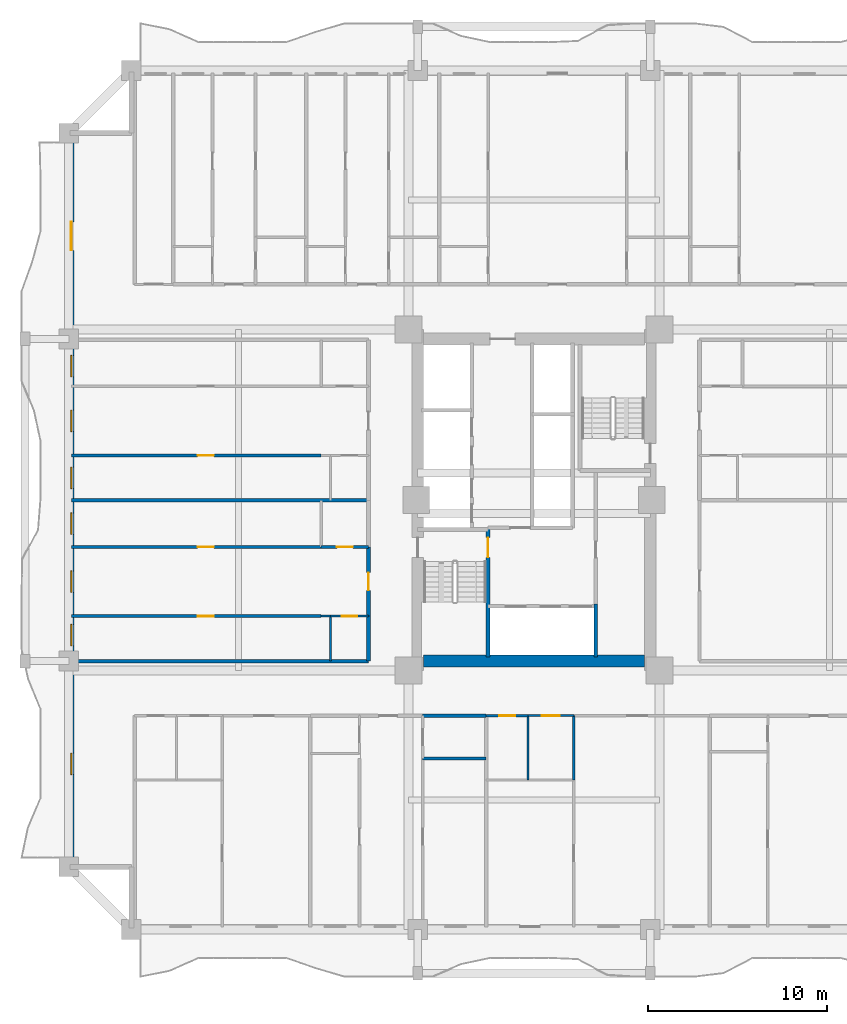
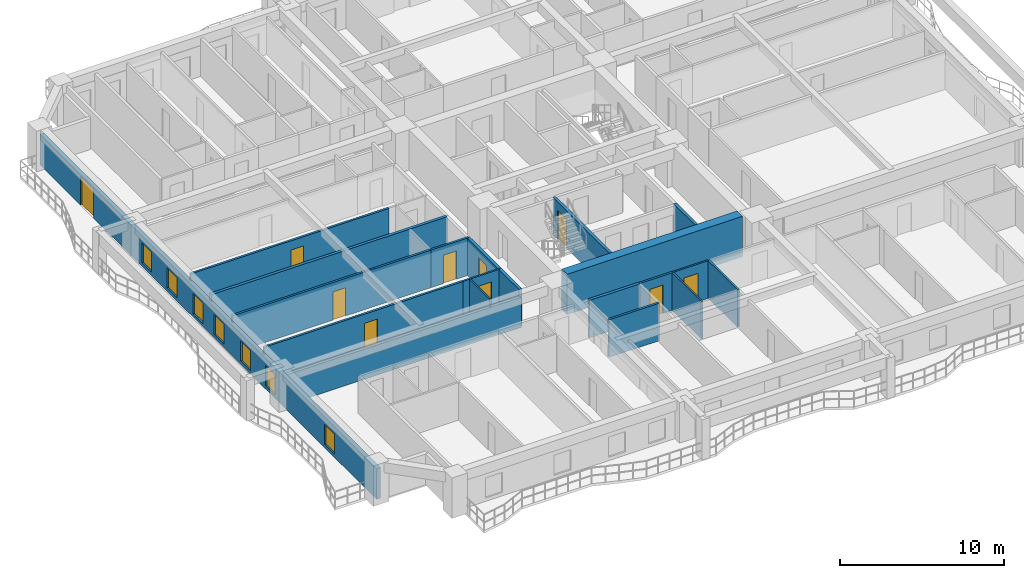
# One storey, part 3 of 15: 21 walls, 10 doors, 7 windows, 17 openings.
"""IFC4 building model written with IfcOpenShell, lengths in metres."""

from ifc_helpers import new_model, si_unit, direction, frame, frame_2d, origin, place, context, subcontext, project, spatial, rectangle, extrude, source, transform, mapped, material, layer, layer_set, type_object, element, fill, save


model = new_model("IFC4")

# Units and contexts
model_context = context("Model", 3, precision=1e-05, world=origin(), true_north=direction((0.0, 1.0)))
body_context = subcontext(model_context, "Body", "Model", "MODEL_VIEW")
ifc_project = project(units=[si_unit("LENGTHUNIT", "METRE"), si_unit("AREAUNIT", "SQUARE_METRE"), si_unit("VOLUMEUNIT", "CUBIC_METRE"), si_unit("PLANEANGLEUNIT", "RADIAN"), si_unit("MASSUNIT", "GRAM", prefix="KILO")], contexts=[model_context])

# Site, building, storey
site_placement = place(None, origin())
site = spatial("IfcSite", under=ifc_project, at=site_placement, CompositionType="ELEMENT")
building_placement = place(site_placement, origin())
building = spatial("IfcBuilding", under=site, at=building_placement, Name="Saelheon Loggia Tower", CompositionType="ELEMENT")
storey_placement = place(building_placement, frame((0.0, 0.0, 49.39990234375)))
storey = spatial("IfcBuildingStorey", under=building, at=storey_placement, Name="L15", CompositionType="ELEMENT", Elevation=49.39990234375)

# Wall
ifc_material_1 = material(Name="Concrete C60/75", Category="concrete")
ifc_layer_1 = layer(ifc_material_1, 0.64990234375)
ifc_layer_set_1 = layer_set([ifc_layer_1], Name="Concrete C60/75")
wall_type_1 = type_object("IfcWallType", Name="Wall_CoreShear_650", PredefinedType="SHEAR", material=ifc_layer_set_1)
wall_1_placement = place(storey_placement, frame((31.824951171875, 18.0, 0.0), z_axis=(0.0, 0.0, 1.0), x_axis=(1.0, 0.0, 0.0)))
element("IfcWall", 1, at=wall_1_placement, inside=storey, type_object=wall_type_1, Name="L15 Core Shear Wall South", PredefinedType="SHEAR", context=body_context, shape_type="SweptSolid", body=[
    extrude(rectangle(XDim=12.35009765625, YDim=0.64990234375, at=frame_2d((6.175048828125, 0.0))), origin(), (0.0, 0.0, 1.0), 3.0),
])

# Wall, openings, windows, door
ifc_material_2 = material(Name="Architectural Precast Concrete C40/50", Category="concrete")
ifc_layer_2 = layer(ifc_material_2, 0.280029296875)
ifc_layer_set_2 = layer_set([ifc_layer_2], Name="Architectural Precast Concrete C40/50")
wall_type_2 = type_object("IfcWallType", Name="Wall_Ext_Loggia_280", PredefinedType="SOLIDWALL", material=ifc_layer_set_2)
wall_2_placement = place(storey_placement, frame((12.139892578125, 6.5, 0.0), z_axis=(0.0, 0.0, 1.0), x_axis=(0.0, 1.0, 0.0)))
wall_2 = element("IfcWall", 2, at=wall_2_placement, inside=storey, type_object=wall_type_2, Name="L15 West Loggia Inner Wall", PredefinedType="SOLIDWALL", context=body_context, shape_type="SweptSolid", body=[
    extrude(rectangle(XDim=41.0, YDim=0.280029296875, at=frame_2d((20.5, 0.0))), origin(), (0.0, 0.0, 1.0), 2.280029296875),
])
opening_1_placement = place(wall_2_placement, frame((5.14990234375, 0.0, 0.25)))
opening_1 = element("IfcOpeningElement", 3, at=opening_1_placement, cuts=wall_2, Name="Opening WN-03", PredefinedType="OPENING", context=body_context, shape_type="SweptSolid", body=[
    extrude(rectangle(XDim=1.199951171875, YDim=1.5, at=frame_2d((0.60009765625, 0.75))), frame((0.0, 0.152099609375, 0.0), z_axis=(0.0, -1.0, 0.0), x_axis=(1.0, 0.0, 0.0)), (0.0, 0.0, 1.0), 0.303955078125),
])
opening_2_placement = place(wall_2_placement, frame((12.3515625, 0.0, 0.25)))
opening_2 = element("IfcOpeningElement", 4, at=opening_2_placement, cuts=wall_2, Name="Opening WN-03", PredefinedType="OPENING", context=body_context, shape_type="SweptSolid", body=[
    extrude(rectangle(XDim=1.199951171875, YDim=1.5, at=frame_2d((0.60009765625, 0.75))), frame((0.0, 0.152099609375, 0.0), z_axis=(0.0, -1.0, 0.0), x_axis=(1.0, 0.0, 0.0)), (0.0, 0.0, 1.0), 0.303955078125),
])
opening_3_placement = place(wall_2_placement, frame((15.343994140625, 0.0, 0.25)))
opening_3 = element("IfcOpeningElement", 5, at=opening_3_placement, cuts=wall_2, Name="Opening WN-03", PredefinedType="OPENING", context=body_context, shape_type="SweptSolid", body=[
    extrude(rectangle(XDim=1.199951171875, YDim=1.5, at=frame_2d((0.60009765625, 0.75))), frame((0.0, 0.152099609375, 0.0), z_axis=(0.0, -1.0, 0.0), x_axis=(1.0, 0.0, 0.0)), (0.0, 0.0, 1.0), 0.303955078125),
])
opening_4_placement = place(wall_2_placement, frame((18.574951171875, 0.0, 0.25)))
opening_4 = element("IfcOpeningElement", 6, at=opening_4_placement, cuts=wall_2, Name="Opening WN-03", PredefinedType="OPENING", context=body_context, shape_type="SweptSolid", body=[
    extrude(rectangle(XDim=1.199951171875, YDim=1.5, at=frame_2d((0.60009765625, 0.75))), frame((0.0, 0.152099609375, 0.0), z_axis=(0.0, -1.0, 0.0), x_axis=(1.0, 0.0, 0.0)), (0.0, 0.0, 1.0), 0.303955078125),
])
opening_5_placement = place(wall_2_placement, frame((21.131591796875, 0.0, 0.25)))
opening_5 = element("IfcOpeningElement", 7, at=opening_5_placement, cuts=wall_2, Name="Opening WN-03", PredefinedType="OPENING", context=body_context, shape_type="SweptSolid", body=[
    extrude(rectangle(XDim=1.199951171875, YDim=1.5, at=frame_2d((0.60009765625, 0.75))), frame((0.0, 0.152099609375, 0.0), z_axis=(0.0, -1.0, 0.0), x_axis=(1.0, 0.0, 0.0)), (0.0, 0.0, 1.0), 0.303955078125),
])
opening_6_placement = place(wall_2_placement, frame((24.319091796875, 0.0, 0.25)))
opening_6 = element("IfcOpeningElement", 8, at=opening_6_placement, cuts=wall_2, Name="Opening WN-03", PredefinedType="OPENING", context=body_context, shape_type="SweptSolid", body=[
    extrude(rectangle(XDim=1.199951171875, YDim=1.5, at=frame_2d((0.60009765625, 0.75))), frame((0.0, 0.152099609375, 0.0), z_axis=(0.0, -1.0, 0.0), x_axis=(1.0, 0.0, 0.0)), (0.0, 0.0, 1.0), 0.303955078125),
])
opening_7_placement = place(wall_2_placement, frame((27.3798828125, 0.0, 0.25)))
opening_7 = element("IfcOpeningElement", 9, at=opening_7_placement, cuts=wall_2, Name="Opening WN-03", PredefinedType="OPENING", context=body_context, shape_type="SweptSolid", body=[
    extrude(rectangle(XDim=1.199951171875, YDim=1.5, at=frame_2d((0.60009765625, 0.75))), frame((0.0, 0.152099609375, 0.0), z_axis=(0.0, -1.0, 0.0), x_axis=(1.0, 0.0, 0.0)), (0.0, 0.0, 1.0), 0.303955078125),
])
opening_8_placement = place(wall_2_placement, frame((34.449951171875, 0.0, 0.0)))
opening_8 = element("IfcOpeningElement", 10, at=opening_8_placement, cuts=wall_2, Name="Opening DLG-1", PredefinedType="OPENING", context=body_context, shape_type="SweptSolid", body=[
    extrude(rectangle(XDim=1.60009765625, YDim=2.14990234375, at=frame_2d((0.800048828125, 1.074951171875))), frame((0.0, 0.152099609375, 0.0), z_axis=(0.0, -1.0, 0.0), x_axis=(1.0, 0.0, 0.0)), (0.0, 0.0, 1.0), 0.303955078125),
])
ifc_material_3 = material(Name="Thermal-Break Aluminium and Triple Low-E Glass", Category="aluminium")
window_type = type_object("IfcWindowType", Name="Win_Bedroom_1200x1500", PartitioningType="SINGLE_PANEL", PredefinedType="WINDOW", material=ifc_material_3)
shared_shape_1 = source(origin(), body_context, "Body", "SweptSolid", [
    extrude(rectangle(XDim=1.199951171875, YDim=1.5, at=frame_2d((0.60009765625, 0.75))), frame((0.0, 0.030029296875, 0.0), z_axis=(0.0, -1.0, 0.0), x_axis=(1.0, 0.0, 0.0)), (0.0, 0.0, 1.0), 0.06005859375),
])
window_1_placement = place(opening_1_placement, origin())
window_1 = element("IfcWindow", 11, at=window_1_placement, inside=storey, type_object=window_type, Name="L15 W Dwelling Window 1", OverallHeight=1.5, OverallWidth=1.199951171875, PartitioningType="SINGLE_PANEL", PredefinedType="WINDOW", context=body_context, shape_type="MappedRepresentation", body=[
    mapped(shared_shape_1, transform((0.0, 0.0, 0.0), scale=1.0)),
])
fill(opening_1, window_1)
window_2_placement = place(opening_2_placement, origin())
window_2 = element("IfcWindow", 12, at=window_2_placement, inside=storey, type_object=window_type, Name="L15 W Dwelling Window 2", OverallHeight=1.5, OverallWidth=1.199951171875, PartitioningType="SINGLE_PANEL", PredefinedType="WINDOW", context=body_context, shape_type="MappedRepresentation", body=[
    mapped(shared_shape_1, transform((0.0, 0.0, 0.0), scale=1.0)),
])
fill(opening_2, window_2)
window_3_placement = place(opening_3_placement, origin())
window_3 = element("IfcWindow", 13, at=window_3_placement, inside=storey, type_object=window_type, Name="L15 W Dwelling Window 3", OverallHeight=1.5, OverallWidth=1.199951171875, PartitioningType="SINGLE_PANEL", PredefinedType="WINDOW", context=body_context, shape_type="MappedRepresentation", body=[
    mapped(shared_shape_1, transform((0.0, 0.0, 0.0), scale=1.0)),
])
fill(opening_3, window_3)
window_4_placement = place(opening_4_placement, origin())
window_4 = element("IfcWindow", 14, at=window_4_placement, inside=storey, type_object=window_type, Name="L15 W Dwelling Window 4", OverallHeight=1.5, OverallWidth=1.199951171875, PartitioningType="SINGLE_PANEL", PredefinedType="WINDOW", context=body_context, shape_type="MappedRepresentation", body=[
    mapped(shared_shape_1, transform((0.0, 0.0, 0.0), scale=1.0)),
])
fill(opening_4, window_4)
window_5_placement = place(opening_5_placement, origin())
window_5 = element("IfcWindow", 15, at=window_5_placement, inside=storey, type_object=window_type, Name="L15 W Dwelling Window 5", OverallHeight=1.5, OverallWidth=1.199951171875, PartitioningType="SINGLE_PANEL", PredefinedType="WINDOW", context=body_context, shape_type="MappedRepresentation", body=[
    mapped(shared_shape_1, transform((0.0, 0.0, 0.0), scale=1.0)),
])
fill(opening_5, window_5)
window_6_placement = place(opening_6_placement, origin())
window_6 = element("IfcWindow", 16, at=window_6_placement, inside=storey, type_object=window_type, Name="L15 W Dwelling Window 6", OverallHeight=1.5, OverallWidth=1.199951171875, PartitioningType="SINGLE_PANEL", PredefinedType="WINDOW", context=body_context, shape_type="MappedRepresentation", body=[
    mapped(shared_shape_1, transform((0.0, 0.0, 0.0), scale=1.0)),
])
fill(opening_6, window_6)
window_7_placement = place(opening_7_placement, origin())
window_7 = element("IfcWindow", 17, at=window_7_placement, inside=storey, type_object=window_type, Name="L15 W Dwelling Window 7", OverallHeight=1.5, OverallWidth=1.199951171875, PartitioningType="SINGLE_PANEL", PredefinedType="WINDOW", context=body_context, shape_type="MappedRepresentation", body=[
    mapped(shared_shape_1, transform((0.0, 0.0, 0.0), scale=1.0)),
])
fill(opening_7, window_7)
ifc_material_4 = material(Name="Thermal-Break Aluminium Sliding Glazed Door", Category="aluminium")
door_type_1 = type_object("IfcDoorType", Name="Door_LoggiaSlide_1600", OperationType="SLIDING_TO_LEFT", PredefinedType="DOOR", material=ifc_material_4)
shared_shape_2 = source(origin(), body_context, "Body", "SweptSolid", [
    extrude(rectangle(XDim=1.60009765625, YDim=2.14990234375, at=frame_2d((0.800048828125, 1.074951171875))), frame((0.0, 0.02490234375, 0.0), z_axis=(0.0, -1.0, 0.0), x_axis=(1.0, 0.0, 0.0)), (0.0, 0.0, 1.0), 0.050048828125),
])
door_1_placement = place(opening_8_placement, origin())
door_1 = element("IfcDoor", 18, at=door_1_placement, inside=storey, type_object=door_type_1, Name="L15 W Loggia Access Door", OperationType="SLIDING_TO_LEFT", OverallHeight=2.14990234375, OverallWidth=1.60009765625, PredefinedType="DOOR", context=body_context, shape_type="MappedRepresentation", body=[
    mapped(shared_shape_2, transform((0.0, 0.0, 0.0), scale=1.0)),
])
fill(opening_8, door_1)

# Walls
ifc_material_5 = material(Name="Lightweight Autoclaved Aerated Concrete Block and Acoustic Gypsum", Category="concrete")
ifc_layer_3 = layer(ifc_material_5, 0.14990234375)
ifc_layer_set_3 = layer_set([ifc_layer_3], Name="Lightweight Autoclaved Aerated Concrete Block and Acoustic Gypsum")
wall_type_3 = type_object("IfcWallType", Name="Wall_Part_150", PredefinedType="PARTITIONING", material=ifc_layer_set_3)
wall_3_placement = place(storey_placement, frame((31.780029296875, 12.550048828125, 0.0), z_axis=(0.0, 0.0, 1.0), x_axis=(1.0, 0.0, 0.0)))
element("IfcWall", 19, at=wall_3_placement, inside=storey, type_object=wall_type_3, Name="L15 S Partition V15", PredefinedType="PARTITIONING", context=body_context, shape_type="SweptSolid", body=[
    extrude(rectangle(XDim=3.54150390625, YDim=0.14990234375, at=frame_2d((1.770751953125, 0.0))), origin(), (0.0, 0.0, 1.0), 2.7900390625),
])
wall_4_placement = place(storey_placement, frame((40.2216796875, 14.949951171875, 0.0), z_axis=(0.0, 0.0, 1.0), x_axis=(0.0, -1.0, 0.0)))
element("IfcWall", 20, at=wall_4_placement, inside=storey, type_object=wall_type_3, Name="L15 S Partition U22", PredefinedType="PARTITIONING", context=body_context, shape_type="SweptSolid", body=[
    extrude(rectangle(XDim=3.599853515625, YDim=0.14990234375, at=frame_2d((1.7998046875, 0.0))), origin(), (0.0, 0.0, 1.0), 2.7900390625),
])

# Wall, opening, door
wall_5_placement = place(storey_placement, frame((35.321533203125, 14.949951171875, 0.0), z_axis=(0.0, 0.0, 1.0), x_axis=(1.0, 0.0, 0.0)))
wall_5 = element("IfcWall", 21, at=wall_5_placement, inside=storey, type_object=wall_type_3, Name="L15 S Partition V25", PredefinedType="PARTITIONING", context=body_context, shape_type="SweptSolid", body=[
    extrude(rectangle(XDim=2.35009765625, YDim=0.14990234375, at=frame_2d((1.175048828125, 0.0))), origin(), (0.0, 0.0, 1.0), 2.7900390625),
])
opening_9_placement = place(wall_5_placement, frame((0.72509765625, 0.0, 0.0)))
opening_9 = element("IfcOpeningElement", 22, at=opening_9_placement, cuts=wall_5, Name="Opening D-IN2", PredefinedType="OPENING", context=body_context, shape_type="SweptSolid", body=[
    extrude(rectangle(XDim=0.89990234375, YDim=2.10009765625, at=frame_2d((0.449951171875, 1.050048828125))), frame((0.0, 0.0869140625, 0.0), z_axis=(0.0, -1.0, 0.0), x_axis=(1.0, 0.0, 0.0)), (0.0, 0.0, 1.0), 0.173828125),
])
ifc_material_6 = material(Name="Engineered Oak Flush Door", Category="timber")
door_type_2 = type_object("IfcDoorType", Name="Door_Int_900", OperationType="NOTDEFINED", PredefinedType="DOOR", material=ifc_material_6)
shared_shape_3 = source(origin(), body_context, "Body", "SweptSolid", [
    extrude(rectangle(XDim=0.89990234375, YDim=2.10009765625, at=frame_2d((0.449951171875, 1.050048828125))), frame((0.0, 0.02490234375, 0.0), z_axis=(0.0, -1.0, 0.0), x_axis=(1.0, 0.0, 0.0)), (0.0, 0.0, 1.0), 0.050048828125),
])
door_2_placement = place(opening_9_placement, origin())
door_2 = element("IfcDoor", 23, at=door_2_placement, inside=storey, type_object=door_type_2, Name="L15 Community Pantry Door", OperationType="SINGLE_SWING_LEFT", OverallHeight=2.10009765625, OverallWidth=0.89990234375, PredefinedType="DOOR", context=body_context, shape_type="MappedRepresentation", body=[
    mapped(shared_shape_3, transform((0.0, 0.0, 0.0), scale=1.0)),
])
fill(opening_9, door_2)

wall_6_placement = place(storey_placement, frame((26.110107421875, 20.512939453125, 0.0), z_axis=(0.0, 0.0, 1.0), x_axis=(-1.0, 0.0, 0.0)))
wall_6 = element("IfcWall", 24, at=wall_6_placement, inside=storey, type_object=wall_type_3, Name="L15 W Partition U10", PredefinedType="PARTITIONING", context=body_context, shape_type="SweptSolid", body=[
    extrude(rectangle(XDim=13.960205078125, YDim=0.14990234375, at=frame_2d((6.97998046875, 0.0))), origin(), (0.0, 0.0, 1.0), 2.7900390625),
])
opening_10_placement = place(wall_6_placement, frame((6.005859375, 0.0, 0.0)))
opening_10 = element("IfcOpeningElement", 25, at=opening_10_placement, cuts=wall_6, Name="Opening D-IN2", PredefinedType="OPENING", context=body_context, shape_type="SweptSolid", body=[
    extrude(rectangle(XDim=0.89990234375, YDim=2.10009765625, at=frame_2d((0.449951171875, 1.050048828125))), frame((0.0, 0.0869140625, 0.0), z_axis=(0.0, -1.0, 0.0), x_axis=(1.0, 0.0, 0.0)), (0.0, 0.0, 1.0), 0.173828125),
])
door_3_placement = place(opening_10_placement, origin())
door_3 = element("IfcDoor", 26, at=door_3_placement, inside=storey, type_object=door_type_2, Name="Unit U07 Kitchen Door", OperationType="SINGLE_SWING_RIGHT", OverallHeight=2.10009765625, OverallWidth=0.89990234375, PredefinedType="DOOR", context=body_context, shape_type="MappedRepresentation", body=[
    mapped(shared_shape_3, transform((0.0, 0.0, 0.0), scale=1.0)),
])
fill(opening_10, door_3)

wall_7_placement = place(storey_placement, frame((28.75, 24.375, 0.0), z_axis=(0.0, 0.0, 1.0), x_axis=(-1.0, 0.0, 0.0)))
wall_7 = element("IfcWall", 27, at=wall_7_placement, inside=storey, type_object=wall_type_3, Name="L15 W Partition U11", PredefinedType="PARTITIONING", context=body_context, shape_type="SweptSolid", body=[
    extrude(rectangle(XDim=2.639892578125, YDim=0.14990234375, at=frame_2d((1.31982421875, 0.0))), origin(), (0.0, 0.0, 1.0), 2.7900390625),
])
opening_11_placement = place(wall_7_placement, frame((0.8701171875, 0.0, 0.0)))
opening_11 = element("IfcOpeningElement", 28, at=opening_11_placement, cuts=wall_7, Name="Opening D-IN2", PredefinedType="OPENING", context=body_context, shape_type="SweptSolid", body=[
    extrude(rectangle(XDim=0.89990234375, YDim=2.10009765625, at=frame_2d((0.449951171875, 1.050048828125))), frame((0.0, 0.0869140625, 0.0), z_axis=(0.0, -1.0, 0.0), x_axis=(1.0, 0.0, 0.0)), (0.0, 0.0, 1.0), 0.173828125),
])
door_4_placement = place(opening_11_placement, origin())
door_4 = element("IfcDoor", 29, at=door_4_placement, inside=storey, type_object=door_type_2, Name="Unit U07 Dressing Closet Door", OperationType="SINGLE_SWING_LEFT", OverallHeight=2.10009765625, OverallWidth=0.89990234375, PredefinedType="DOOR", context=body_context, shape_type="MappedRepresentation", body=[
    mapped(shared_shape_3, transform((0.0, 0.0, 0.0), scale=1.0)),
])
fill(opening_11, door_4)

wall_8_placement = place(storey_placement, frame((26.110107421875, 24.375, 0.0), z_axis=(0.0, 0.0, 1.0), x_axis=(-1.0, 0.0, 0.0)))
wall_8 = element("IfcWall", 30, at=wall_8_placement, inside=storey, type_object=wall_type_3, Name="L15 W Partition U12", PredefinedType="PARTITIONING", context=body_context, shape_type="SweptSolid", body=[
    extrude(rectangle(XDim=13.960205078125, YDim=0.14990234375, at=frame_2d((6.97998046875, 0.0))), origin(), (0.0, 0.0, 1.0), 2.7900390625),
])
opening_12_placement = place(wall_8_placement, frame((6.005859375, 0.0, 0.0)))
opening_12 = element("IfcOpeningElement", 31, at=opening_12_placement, cuts=wall_8, Name="Opening D-IN2", PredefinedType="OPENING", context=body_context, shape_type="SweptSolid", body=[
    extrude(rectangle(XDim=0.89990234375, YDim=2.10009765625, at=frame_2d((0.449951171875, 1.050048828125))), frame((0.0, 0.0869140625, 0.0), z_axis=(0.0, -1.0, 0.0), x_axis=(1.0, 0.0, 0.0)), (0.0, 0.0, 1.0), 0.173828125),
])
door_5_placement = place(opening_12_placement, origin())
door_5 = element("IfcDoor", 32, at=door_5_placement, inside=storey, type_object=door_type_2, Name="Unit U07 Bedroom 1 Door", OperationType="SINGLE_SWING_RIGHT", OverallHeight=2.10009765625, OverallWidth=0.89990234375, PredefinedType="DOOR", context=body_context, shape_type="MappedRepresentation", body=[
    mapped(shared_shape_3, transform((0.0, 0.0, 0.0), scale=1.0)),
])
fill(opening_12, door_5)

wall_9_placement = place(storey_placement, frame((26.110107421875, 29.488037109375, 0.0), z_axis=(0.0, 0.0, 1.0), x_axis=(-1.0, 0.0, 0.0)))
wall_9 = element("IfcWall", 33, at=wall_9_placement, inside=storey, type_object=wall_type_3, Name="L15 W Partition U21", PredefinedType="PARTITIONING", context=body_context, shape_type="SweptSolid", body=[
    extrude(rectangle(XDim=13.960205078125, YDim=0.14990234375, at=frame_2d((6.97998046875, 0.0))), origin(), (0.0, 0.0, 1.0), 2.7900390625),
])
opening_13_placement = place(wall_9_placement, frame((6.005859375, 0.0, 0.0)))
opening_13 = element("IfcOpeningElement", 34, at=opening_13_placement, cuts=wall_9, Name="Opening D-IN2", PredefinedType="OPENING", context=body_context, shape_type="SweptSolid", body=[
    extrude(rectangle(XDim=0.89990234375, YDim=2.10009765625, at=frame_2d((0.449951171875, 1.050048828125))), frame((0.0, 0.0869140625, 0.0), z_axis=(0.0, -1.0, 0.0), x_axis=(1.0, 0.0, 0.0)), (0.0, 0.0, 1.0), 0.173828125),
])
door_6_placement = place(opening_13_placement, origin())
door_6 = element("IfcDoor", 35, at=door_6_placement, inside=storey, type_object=door_type_2, Name="Unit U08 Kitchen Door", OperationType="SINGLE_SWING_LEFT", OverallHeight=2.10009765625, OverallWidth=0.89990234375, PredefinedType="DOOR", context=body_context, shape_type="MappedRepresentation", body=[
    mapped(shared_shape_3, transform((0.0, 0.0, 0.0), scale=1.0)),
])
fill(opening_13, door_6)

# Walls
ifc_material_7 = material(Name="Double Acoustic Stud and Fireboard Partition", Category="gypsum")
ifc_layer_4 = layer(ifc_material_7, 0.199951171875)
ifc_layer_set_4 = layer_set([ifc_layer_4], Name="Double Acoustic Stud and Fireboard Partition")
wall_type_4 = type_object("IfcWallType", Name="Wall_Party_200", PredefinedType="PARTITIONING", material=ifc_layer_set_4)
wall_10_placement = place(storey_placement, frame((31.780029296875, 14.949951171875, 0.0), z_axis=(0.0, 0.0, 1.0), x_axis=(1.0, 0.0, 0.0)))
element("IfcWall", 36, at=wall_10_placement, inside=storey, type_object=wall_type_4, Name="L15 S Partition V13", PredefinedType="PARTITIONING", context=body_context, shape_type="SweptSolid", body=[
    extrude(rectangle(XDim=3.54150390625, YDim=0.199951171875, at=frame_2d((1.770751953125, 0.0))), origin(), (0.0, 0.0, 1.0), 2.7900390625),
])
wall_11_placement = place(storey_placement, frame((28.75, 18.0, 0.0), z_axis=(0.0, 0.0, 1.0), x_axis=(-1.0, 0.0, 0.0)))
element("IfcWall", 37, at=wall_11_placement, inside=storey, type_object=wall_type_4, Name="L15 W Partition U01", PredefinedType="PARTITIONING", context=body_context, shape_type="SweptSolid", body=[
    extrude(rectangle(XDim=16.60009765625, YDim=0.199951171875, at=frame_2d((8.300048828125, 0.0))), origin(), (0.0, 0.0, 1.0), 2.239990234375),
])
wall_12_placement = place(storey_placement, frame((28.75, 18.0, 0.0), z_axis=(0.0, 0.0, 1.0), x_axis=(0.0, 1.0, 0.0)))
element("IfcWall", 38, at=wall_12_placement, inside=storey, type_object=wall_type_4, Name="L15 W Partition V03", PredefinedType="PARTITIONING", context=body_context, shape_type="SweptSolid", body=[
    extrude(rectangle(XDim=2.512939453125, YDim=0.199951171875, at=frame_2d((1.25634765625, 0.0))), origin(), (0.0, 0.0, 1.0), 2.7900390625),
])

# Wall, opening, door
wall_13_placement = place(storey_placement, frame((28.75, 20.512939453125, 0.0), z_axis=(0.0, 0.0, 1.0), x_axis=(0.0, 1.0, 0.0)))
wall_13 = element("IfcWall", 39, at=wall_13_placement, inside=storey, type_object=wall_type_4, Name="L15 W Partition V04", PredefinedType="PARTITIONING", context=body_context, shape_type="SweptSolid", body=[
    extrude(rectangle(XDim=3.862060546875, YDim=0.199951171875, at=frame_2d((1.93115234375, 0.0))), origin(), (0.0, 0.0, 1.0), 2.7900390625),
])
opening_14_placement = place(wall_13_placement, frame((1.430908203125, 0.0, 0.0)))
opening_14 = element("IfcOpeningElement", 40, at=opening_14_placement, cuts=wall_13, Name="Opening D-FD1", PredefinedType="OPENING", context=body_context, shape_type="SweptSolid", body=[
    extrude(rectangle(XDim=1.0, YDim=2.14990234375, at=frame_2d((0.5, 1.074951171875))), frame((0.0, 0.112060546875, 0.0), z_axis=(0.0, -1.0, 0.0), x_axis=(1.0, 0.0, 0.0)), (0.0, 0.0, 1.0), 0.223876953125),
])
ifc_material_8 = material(Name="Fire-Rated Engineered Timber Entrance Door", Category="wood")
door_type_3 = type_object("IfcDoorType", Name="Door_Flat_FD30S", OperationType="NOTDEFINED", PredefinedType="DOOR", material=ifc_material_8)
shared_shape_4 = source(origin(), body_context, "Body", "SweptSolid", [
    extrude(rectangle(XDim=1.0, YDim=2.14990234375, at=frame_2d((0.5, 1.074951171875))), frame((0.0, 0.02490234375, 0.0), z_axis=(0.0, -1.0, 0.0), x_axis=(1.0, 0.0, 0.0)), (0.0, 0.0, 1.0), 0.050048828125),
])
door_7_placement = place(opening_14_placement, origin())
door_7 = element("IfcDoor", 41, at=door_7_placement, inside=storey, type_object=door_type_3, Name="Unit U07 Entrance Door", OperationType="SINGLE_SWING_RIGHT", OverallHeight=2.14990234375, OverallWidth=1.0, PredefinedType="DOOR", context=body_context, shape_type="MappedRepresentation", body=[
    mapped(shared_shape_4, transform((0.0, 0.0, 0.0), scale=1.0)),
])
fill(opening_14, door_7)

# Walls
wall_14_placement = place(storey_placement, frame((28.75, 26.97509765625, 0.0), z_axis=(0.0, 0.0, 1.0), x_axis=(-1.0, 0.0, 0.0)))
element("IfcWall", 42, at=wall_14_placement, inside=storey, type_object=wall_type_4, Name="L15 W Partition U13", PredefinedType="PARTITIONING", context=body_context, shape_type="SweptSolid", body=[
    extrude(rectangle(XDim=16.60009765625, YDim=0.199951171875, at=frame_2d((8.300048828125, 0.0))), origin(), (0.0, 0.0, 1.0), 2.7900390625),
])
ifc_material_9 = material(Name="Concrete C40/50", Category="concrete")
ifc_layer_5 = layer(ifc_material_9, 0.199951171875)
ifc_layer_set_5 = layer_set([ifc_layer_5], Name="Concrete C40/50")
wall_type_5 = type_object("IfcWallType", Name="Wall_Shaft_200", PredefinedType="PARTITIONING", material=ifc_layer_set_5)
wall_15_placement = place(storey_placement, frame((41.449951171875, 18.219970703125, 0.0), z_axis=(0.0, 0.0, 1.0), x_axis=(0.0, 1.0, 0.0)))
element("IfcWall", 43, at=wall_15_placement, inside=storey, type_object=wall_type_5, Name="CW-INT-L15-BOH-W0", PredefinedType="PARTITIONING", context=body_context, shape_type="SweptSolid", body=[
    extrude(rectangle(XDim=2.9599609375, YDim=0.199951171875, at=frame_2d((1.47998046875, 0.0))), origin(), (0.0, 0.0, 1.0), 2.7900390625),
])

# Wall, opening, door
ifc_material_10 = material(Name="Concrete C45/55", Category="concrete")
ifc_layer_6 = layer(ifc_material_10, 0.199951171875)
ifc_layer_set_6 = layer_set([ifc_layer_6], Name="Concrete C45/55")
wall_type_6 = type_object("IfcWallType", Name="Wall_StairShaft_RC200", PredefinedType="SOLIDWALL", material=ifc_layer_set_6)
wall_16_placement = place(storey_placement, frame((35.429931640625, 18.219970703125, 0.0), z_axis=(0.0, 0.0, 1.0), x_axis=(0.0, 1.0, 0.0)))
wall_16 = element("IfcWall", 44, at=wall_16_placement, inside=storey, type_object=wall_type_6, Name="L15 Stair ST1 Shaft Wall", PredefinedType="SOLIDWALL", context=body_context, shape_type="SweptSolid", body=[
    extrude(rectangle(XDim=7.219970703125, YDim=0.199951171875, at=frame_2d((3.60986328125, 0.0))), origin(), (0.0, 0.0, 1.0), 2.7900390625),
])
opening_15_placement = place(wall_16_placement, frame((6.68017578125, 0.0, 0.0), z_axis=(0.0, 0.0, 1.0), x_axis=(-1.0, 0.0, 0.0)))
opening_15 = element("IfcOpeningElement", 45, at=opening_15_placement, cuts=wall_16, Name="Opening D-FD2", PredefinedType="OPENING", context=body_context, shape_type="SweptSolid", body=[
    extrude(rectangle(XDim=1.10009765625, YDim=2.14990234375, at=frame_2d((0.550048828125, 1.074951171875))), frame((0.0, 0.112060546875, 0.0), z_axis=(0.0, -1.0, 0.0), x_axis=(1.0, 0.0, 0.0)), (0.0, 0.0, 1.0), 0.223876953125),
])
ifc_material_11 = material(Name="Galvanised Steel Fire Door", Category="steel")
door_type_4 = type_object("IfcDoorType", Name="Door_Fire_FD60_1100", OperationType="NOTDEFINED", PredefinedType="DOOR", material=ifc_material_11)
shared_shape_5 = source(origin(), body_context, "Body", "SweptSolid", [
    extrude(rectangle(XDim=1.10009765625, YDim=2.14990234375, at=frame_2d((0.550048828125, 1.074951171875))), frame((0.0, 0.02490234375, 0.0), z_axis=(0.0, -1.0, 0.0), x_axis=(1.0, 0.0, 0.0)), (0.0, 0.0, 1.0), 0.050048828125),
])
door_8_placement = place(opening_15_placement, origin())
door_8 = element("IfcDoor", 46, at=door_8_placement, inside=storey, type_object=door_type_4, Name="L15 Stair ST1 Lobby Door", OperationType="SINGLE_SWING_RIGHT", OverallHeight=2.14990234375, OverallWidth=1.10009765625, PredefinedType="DOOR", context=body_context, shape_type="MappedRepresentation", body=[
    mapped(shared_shape_5, transform((0.0, 0.0, 0.0), scale=1.0)),
])
fill(opening_15, door_8)

# Wall
ifc_material_12 = material(Name="Moisture-Resistant Cement Board Partition", Category="gypsum")
ifc_layer_7 = layer(ifc_material_12, 0.1201171875)
ifc_layer_set_7 = layer_set([ifc_layer_7], Name="Moisture-Resistant Cement Board Partition")
wall_type_7 = type_object("IfcWallType", Name="Wall_WetPart_120", PredefinedType="PARTITIONING", material=ifc_layer_set_7)
wall_17_placement = place(storey_placement, frame((37.671630859375, 14.949951171875, 0.0), z_axis=(0.0, 0.0, 1.0), x_axis=(0.0, -1.0, 0.0)))
element("IfcWall", 47, at=wall_17_placement, inside=storey, type_object=wall_type_7, Name="L15 S Partition U21", PredefinedType="PARTITIONING", context=body_context, shape_type="SweptSolid", body=[
    extrude(rectangle(XDim=3.599853515625, YDim=0.1201171875, at=frame_2d((1.7998046875, 0.0))), origin(), (0.0, 0.0, 1.0), 2.7900390625),
])

# Wall, opening, door
wall_18_placement = place(storey_placement, frame((37.671630859375, 14.949951171875, 0.0), z_axis=(0.0, 0.0, 1.0), x_axis=(1.0, 0.0, 0.0)))
wall_18 = element("IfcWall", 48, at=wall_18_placement, inside=storey, type_object=wall_type_7, Name="L15 S Partition V26", PredefinedType="PARTITIONING", context=body_context, shape_type="SweptSolid", body=[
    extrude(rectangle(XDim=2.550048828125, YDim=0.1201171875, at=frame_2d((1.27490234375, 0.0))), origin(), (0.0, 0.0, 1.0), 2.7900390625),
])
opening_16_placement = place(wall_18_placement, frame((0.77490234375, 0.0, 0.0)))
opening_16 = element("IfcOpeningElement", 49, at=opening_16_placement, cuts=wall_18, Name="Opening D-AC1", PredefinedType="OPENING", context=body_context, shape_type="SweptSolid", body=[
    extrude(rectangle(XDim=1.0, YDim=2.10009765625, at=frame_2d((0.5, 1.050048828125))), frame((0.0, 0.072021484375, 0.0), z_axis=(0.0, -1.0, 0.0), x_axis=(1.0, 0.0, 0.0)), (0.0, 0.0, 1.0), 0.14404296875),
])
ifc_material_13 = material(Name="Accessible Laminate Flush Door", Category="timber")
door_type_5 = type_object("IfcDoorType", Name="Door_Acc_1000", OperationType="NOTDEFINED", PredefinedType="DOOR", material=ifc_material_13)
shared_shape_6 = source(origin(), body_context, "Body", "SweptSolid", [
    extrude(rectangle(XDim=1.0, YDim=2.10009765625, at=frame_2d((0.5, 1.050048828125))), frame((0.0, 0.02490234375, 0.0), z_axis=(0.0, -1.0, 0.0), x_axis=(1.0, 0.0, 0.0)), (0.0, 0.0, 1.0), 0.050048828125),
])
door_9_placement = place(opening_16_placement, origin())
door_9 = element("IfcDoor", 50, at=door_9_placement, inside=storey, type_object=door_type_5, Name="L15 Common Washroom Door", OperationType="SINGLE_SWING_RIGHT", OverallHeight=2.10009765625, OverallWidth=1.0, PredefinedType="DOOR", context=body_context, shape_type="MappedRepresentation", body=[
    mapped(shared_shape_6, transform((0.0, 0.0, 0.0), scale=1.0)),
])
fill(opening_16, door_9)

# Wall
wall_19_placement = place(storey_placement, frame((26.6298828125, 18.0, 0.0), z_axis=(0.0, 0.0, 1.0), x_axis=(0.0, 1.0, 0.0)))
element("IfcWall", 51, at=wall_19_placement, inside=storey, type_object=wall_type_7, Name="L15 W Partition V06", PredefinedType="PARTITIONING", context=body_context, shape_type="SweptSolid", body=[
    extrude(rectangle(XDim=2.512939453125, YDim=0.1201171875, at=frame_2d((1.25634765625, 0.0))), origin(), (0.0, 0.0, 1.0), 2.7900390625),
])

# Wall, opening, door
wall_20_placement = place(storey_placement, frame((28.75, 20.512939453125, 0.0), z_axis=(0.0, 0.0, 1.0), x_axis=(-1.0, 0.0, 0.0)))
wall_20 = element("IfcWall", 52, at=wall_20_placement, inside=storey, type_object=wall_type_7, Name="L15 W Partition U08", PredefinedType="PARTITIONING", context=body_context, shape_type="SweptSolid", body=[
    extrude(rectangle(XDim=2.1201171875, YDim=0.1201171875, at=frame_2d((1.06005859375, 0.0))), origin(), (0.0, 0.0, 1.0), 2.7900390625),
])
opening_17_placement = place(wall_20_placement, frame((0.635009765625, 0.0, 0.0)))
opening_17 = element("IfcOpeningElement", 53, at=opening_17_placement, cuts=wall_20, Name="Opening D-BT1", PredefinedType="OPENING", context=body_context, shape_type="SweptSolid", body=[
    extrude(rectangle(XDim=0.85009765625, YDim=2.050048828125, at=frame_2d((0.425048828125, 1.02490234375))), frame((0.0, 0.072021484375, 0.0), z_axis=(0.0, -1.0, 0.0), x_axis=(1.0, 0.0, 0.0)), (0.0, 0.0, 1.0), 0.14404296875),
])
ifc_material_14 = material(Name="Moisture-Resistant Laminate Timber Door", Category="wood")
door_type_6 = type_object("IfcDoorType", Name="Door_Bath_850", OperationType="NOTDEFINED", PredefinedType="DOOR", material=ifc_material_14)
shared_shape_7 = source(origin(), body_context, "Body", "SweptSolid", [
    extrude(rectangle(XDim=0.85009765625, YDim=2.050048828125, at=frame_2d((0.425048828125, 1.02490234375))), frame((0.0, 0.02490234375, 0.0), z_axis=(0.0, -1.0, 0.0), x_axis=(1.0, 0.0, 0.0)), (0.0, 0.0, 1.0), 0.050048828125),
])
door_10_placement = place(opening_17_placement, origin())
door_10 = element("IfcDoor", 54, at=door_10_placement, inside=storey, type_object=door_type_6, Name="Unit U07 Bathroom Door", OperationType="SINGLE_SWING_LEFT", OverallHeight=2.050048828125, OverallWidth=0.85009765625, PredefinedType="DOOR", context=body_context, shape_type="MappedRepresentation", body=[
    mapped(shared_shape_7, transform((0.0, 0.0, 0.0), scale=1.0)),
])
fill(opening_17, door_10)

# Wall
wall_21_placement = place(storey_placement, frame((26.6298828125, 20.512939453125, 0.0), z_axis=(0.0, 0.0, 1.0), x_axis=(-1.0, 0.0, 0.0)))
element("IfcWall", 55, at=wall_21_placement, inside=storey, type_object=wall_type_7, Name="L15 W Partition U09", PredefinedType="PARTITIONING", context=body_context, shape_type="SweptSolid", body=[
    extrude(rectangle(XDim=0.519775390625, YDim=0.1201171875, at=frame_2d((0.259765625, 0.0))), origin(), (0.0, 0.0, 1.0), 2.7900390625),
])

save(model, "model.ifc")
